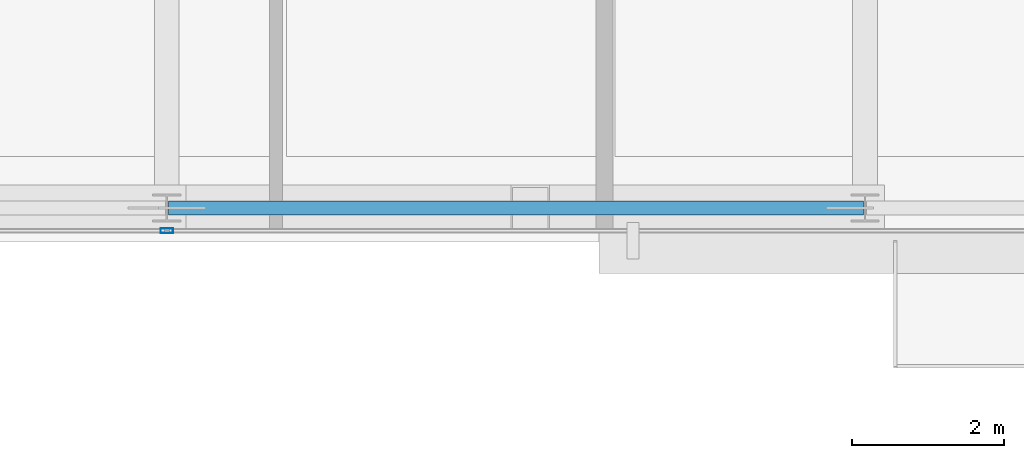
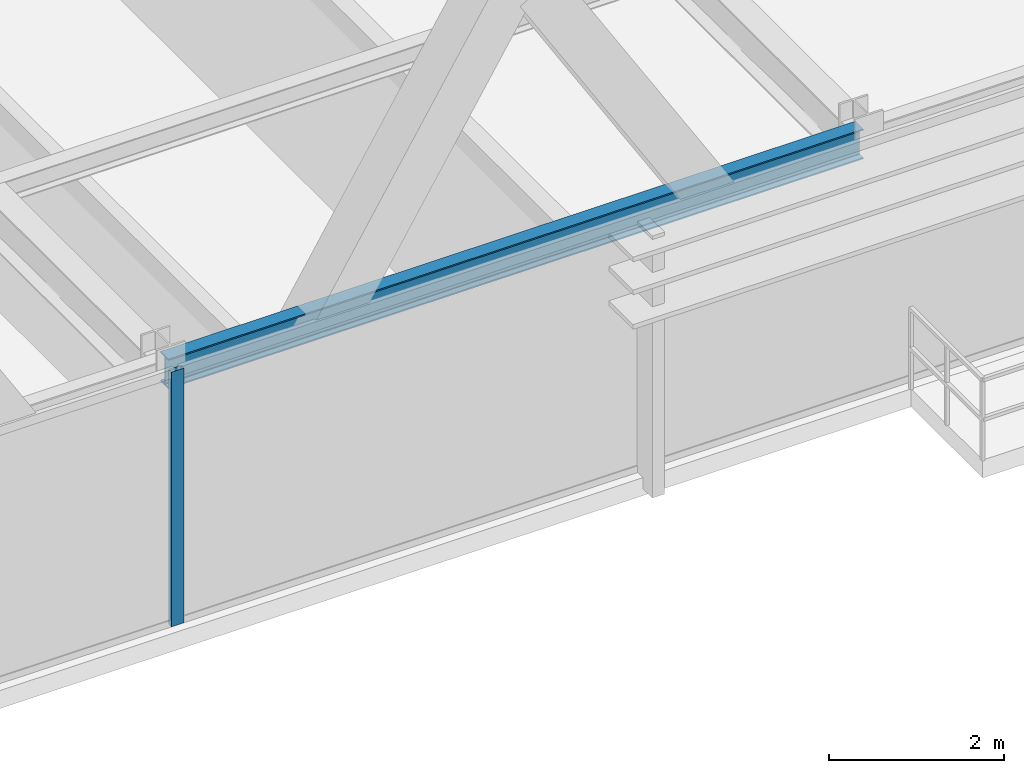
# One storey, part 8 of 34: 1 beam, 1 member, 1 element without a shape of its own.
"""IFC4 building model written with IfcOpenShell, lengths in metres."""

import ifcopenshell
import ifcopenshell.guid

model = None  # the IFC model being written
_history = None  # IfcOwnerHistory: only IFC2X3 demands one
_inside = {}  # id of a spatial element -> (the spatial element, [elements in it])
_under = {}  # id of a project, library or spatial element -> (it, [spatial elements below it])
_declared = {}  # id of a project -> (the project, [libraries it declares])
_typed = {}  # id of a type object -> (the type object, [elements of that type])
_made_of = {}  # id of a material, layer set ... -> (it, [elements and type objects made of it])


def new_model(schema):
    """Start an empty IFC model of exactly this schema.

    Asked for "IFC4X3", IfcOpenShell would pick the latest addendum, in which some entities
    have other attributes; the version numbers below select the first issue.
    IFC2X3 requires an IfcOwnerHistory on every rooted entity: one is made here for all.
    """
    global model, _history
    if schema == "IFC4X3":
        model = ifcopenshell.file(schema_version=(4, 3, 0, 0))
    else:
        model = ifcopenshell.file(schema=schema)
    _inside.clear()
    _under.clear()
    _declared.clear()
    _typed.clear()
    _made_of.clear()
    _history = None
    if model.schema == "IFC2X3":
        org = make("IfcOrganization", Name="unknown")
        user = make(
            "IfcPersonAndOrganization",
            ThePerson=make("IfcPerson", FamilyName="unknown"),
            TheOrganization=org,
        )
        app = make(
            "IfcApplication",
            ApplicationDeveloper=org,
            Version="unknown",
            ApplicationFullName="unknown",
            ApplicationIdentifier="unknown",
        )
        _history = make(
            "IfcOwnerHistory",
            OwningUser=user,
            OwningApplication=app,
            ChangeAction="ADDED",
            CreationDate=0,
        )
    return model


def make(cls, **values):
    """One entity of the class cls with the attributes given. An attribute that is None is left unset."""
    return model.create_entity(
        cls, **{name: value for name, value in values.items() if value is not None}
    )


def rooted(cls, **values):
    """An entity with a GlobalId (a new one), such as an element, a storey or a relation."""
    return make(cls, GlobalId=ifcopenshell.guid.new(), OwnerHistory=_history, **values)


def si_unit(unit_type, name, prefix=None):
    """IfcSIUnit, for example si_unit("LENGTHUNIT", "METRE", prefix="MILLI")."""
    return make("IfcSIUnit", UnitType=unit_type, Prefix=prefix, Name=name)


def assignment(units):
    """IfcUnitAssignment: the units of a project."""
    return None if units is None else make("IfcUnitAssignment", Units=units)


def point(xyz):
    """IfcCartesianPoint."""
    return None if xyz is None else make("IfcCartesianPoint", Coordinates=xyz)


def direction(xyz):
    """IfcDirection."""
    return None if xyz is None else make("IfcDirection", DirectionRatios=xyz)


def frame(location, z_axis=None, x_axis=None):
    """IfcAxis2Placement3D, a coordinate frame: its origin and axes. An axis left out is left unset."""
    return make(
        "IfcAxis2Placement3D",
        Location=point(location),
        Axis=direction(z_axis),
        RefDirection=direction(x_axis),
    )


def frame_2d(location, x_axis=None):
    """IfcAxis2Placement2D, a coordinate frame in the plane: its origin and x axis."""
    return make(
        "IfcAxis2Placement2D", Location=point(location), RefDirection=direction(x_axis)
    )


def origin():
    """The frame at (0, 0, 0) with its axes left unset."""
    return frame((0.0, 0.0, 0.0))


def origin_2d():
    """The frame at (0, 0) in the plane with its x axis left unset."""
    return frame_2d((0.0, 0.0))


def place(relative_to, where):
    """IfcLocalPlacement: puts the frame where relative to a parent placement (None: the world)."""
    return make(
        "IfcLocalPlacement", PlacementRelTo=relative_to, RelativePlacement=where
    )


def context(
    kind, dimensions, precision=None, world=None, true_north=None, identifier=None
):
    """IfcGeometricRepresentationContext, for example the 3D "Model" context."""
    return make(
        "IfcGeometricRepresentationContext",
        ContextIdentifier=identifier,
        ContextType=kind,
        CoordinateSpaceDimension=dimensions,
        Precision=precision,
        WorldCoordinateSystem=world,
        TrueNorth=true_north,
    )


def subcontext(parent, identifier, kind, view, scale=None):
    """IfcGeometricRepresentationSubContext, for example "Body" below "Model"."""
    return make(
        "IfcGeometricRepresentationSubContext",
        ContextIdentifier=identifier,
        ContextType=kind,
        ParentContext=parent,
        TargetScale=scale,
        TargetView=view,
    )


def project(units=None, contexts=None):
    """IfcProject with its units and contexts."""
    return rooted(
        "IfcProject",
        Name="project",
        RepresentationContexts=contexts,
        UnitsInContext=assignment(units),
    )


def spatial(cls, under=None, at=None, **own):
    """A site, building, storey or space (cls), placed at a placement, below another one or the project."""
    s = rooted(cls, ObjectPlacement=at, **own)
    if under is not None:
        _under.setdefault(under.id(), (under, []))[1].append(s)
    return s


def profile(cls, at=None, kind="AREA", **sizes):
    """A parametric profile (cls). Its sizes go by their IFC names, for example OverallWidth=200.0."""
    return make(cls, ProfileType=kind, Position=at, **sizes)


def hollow_rectangle(**sizes):
    """IfcRectangleHollowProfileDef."""
    return profile("IfcRectangleHollowProfileDef", **sizes)


def i_section(**sizes):
    """IfcIShapeProfileDef."""
    return profile("IfcIShapeProfileDef", **sizes)


def extrude(swept, where, along, depth):
    """IfcExtrudedAreaSolid: the profile swept, set in the frame where, extruded along a direction by depth."""
    return make(
        "IfcExtrudedAreaSolid",
        SweptArea=swept,
        Position=where,
        ExtrudedDirection=direction(along),
        Depth=depth,
    )


def shape(context_of_items, identifier, shape_type, items):
    """IfcShapeRepresentation: the items that make up one representation, for example the "Body"."""
    return make(
        "IfcShapeRepresentation",
        ContextOfItems=context_of_items,
        RepresentationIdentifier=identifier,
        RepresentationType=shape_type,
        Items=items,
    )


def source(mapping_origin, context_of_items, identifier, shape_type, items):
    """IfcRepresentationMap: a shape defined once, which mapped items show again and again."""
    return make(
        "IfcRepresentationMap",
        MappingOrigin=mapping_origin,
        MappedRepresentation=shape(context_of_items, identifier, shape_type, items),
    )


def transform(
    local_origin,
    x_axis=None,
    y_axis=None,
    z_axis=None,
    scale=None,
    scale2=None,
    scale3=None,
    uniform=True,
):
    """IfcCartesianTransformationOperator3D, or its non-uniform kind. x_axis, y_axis, z_axis: its Axis1, 2, 3."""
    if uniform:
        return make(
            "IfcCartesianTransformationOperator3D",
            Axis1=direction(x_axis),
            Axis2=direction(y_axis),
            LocalOrigin=point(local_origin),
            Scale=scale,
            Axis3=direction(z_axis),
        )
    return make(
        "IfcCartesianTransformationOperator3DnonUniform",
        Axis1=direction(x_axis),
        Axis2=direction(y_axis),
        LocalOrigin=point(local_origin),
        Scale=scale,
        Axis3=direction(z_axis),
        Scale2=scale2,
        Scale3=scale3,
    )


def mapped(mapping_source, mapping_target):
    """IfcMappedItem: shows the shape of a source again, moved by a transform."""
    return make(
        "IfcMappedItem", MappingSource=mapping_source, MappingTarget=mapping_target
    )


def material(Name=None, Category=None):
    """IfcMaterial."""
    return make("IfcMaterial", Name=Name, Category=Category)


def layer(
    of_material, thickness, ventilated=None, Name=None, Category=None, Priority=None
):
    """IfcMaterialLayer: one layer of a wall or slab, of a material (None: an air gap)."""
    return make(
        "IfcMaterialLayer",
        Material=of_material,
        LayerThickness=thickness,
        IsVentilated=ventilated,
        Name=Name,
        Category=Category,
        Priority=Priority,
    )


def layer_set(layers, Name=None):
    """IfcMaterialLayerSet."""
    return make("IfcMaterialLayerSet", MaterialLayers=layers, LayerSetName=Name)


def material_profile(
    of_material, cross_section, Name=None, Category=None, Priority=None
):
    """IfcMaterialProfile: a cross section and its material."""
    return make(
        "IfcMaterialProfile",
        Name=Name,
        Material=of_material,
        Profile=cross_section,
        Priority=Priority,
        Category=Category,
    )


def profile_set(profiles, Name=None, composite=None):
    """IfcMaterialProfileSet."""
    return make(
        "IfcMaterialProfileSet",
        Name=Name,
        MaterialProfiles=profiles,
        CompositeProfile=composite,
    )


def made_of(thing, what):
    """Note that an element or type object is made of a material, layer set ...; save() writes the relation."""
    if what is not None:
        _made_of.setdefault(what.id(), (what, []))[1].append(thing)
    return thing


def type_object(cls, material=None, **own):
    """A type object (cls), such as IfcWallType, which elements share."""
    return made_of(rooted(cls, **own), material)


def type_shapes(of_type, sources):
    """Give a type object the sources (RepresentationMaps) that its elements show as mapped items."""
    of_type.RepresentationMaps = sources


def element(
    cls,
    number,
    at=None,
    inside=None,
    cuts=None,
    type_object=None,
    material=None,
    context=None,
    identifier="Body",
    shape_type=None,
    held_by="IfcProductDefinitionShape",
    body=None,
    shapes=None,
    **own,
):
    """One element of the class cls, such as IfcWall. Its Tag is "e" and its number.

    at: its placement. inside: the storey or other place that contains it. cuts: it is an
    opening in that element (IfcRelVoidsElement). A single representation is given by context,
    identifier, shape_type and body (its items); several are given by shapes. held_by: the class
    of the entity that holds the representations. save() writes the other relations.
    """
    e = rooted(cls, Tag="e%d" % number, ObjectPlacement=at, **own)
    if body is not None:
        shapes = [shape(context, identifier, shape_type, body)]
    if shapes is not None:
        e.Representation = make(held_by, Representations=shapes)
    if inside is not None:
        _inside.setdefault(inside.id(), (inside, []))[1].append(e)
    if cuts is not None:
        rooted(
            "IfcRelVoidsElement", RelatingBuildingElement=cuts, RelatedOpeningElement=e
        )
    if type_object is not None:
        _typed.setdefault(type_object.id(), (type_object, []))[1].append(e)
    return made_of(e, material)


def aggregate(whole, parts):
    """IfcRelAggregates: a whole, such as a stair, and the parts it consists of."""
    return rooted("IfcRelAggregates", RelatingObject=whole, RelatedObjects=parts)


def save(model, path):
    """Write the relations noted so far, then the file.

    IfcRelAggregates (storeys below a building ...), IfcRelContainedInSpatialStructure (elements
    in a storey), IfcRelDefinesByType, IfcRelAssociatesMaterial and IfcRelDeclares: one each for
    every whole, place, type object, material and project.
    """
    for whole, parts in _under.values():
        aggregate(whole, parts)
    for where, things in _inside.values():
        rooted(
            "IfcRelContainedInSpatialStructure",
            RelatedElements=things,
            RelatingStructure=where,
        )
    for kind, things in _typed.values():
        rooted("IfcRelDefinesByType", RelatedObjects=things, RelatingType=kind)
    for what, things in _made_of.values():
        rooted("IfcRelAssociatesMaterial", RelatedObjects=things, RelatingMaterial=what)
    for by, libraries in _declared.values():
        rooted("IfcRelDeclares", RelatingContext=by, RelatedDefinitions=libraries)
    model.write(path)


model = new_model("IFC4")

# Units and contexts
model_context = context("Model", 3, precision=1e-05, world=origin(), true_north=direction((0.0, 1.0)))
body_context = subcontext(model_context, "Body", "Model", "MODEL_VIEW")
ifc_project = project(units=[si_unit("LENGTHUNIT", "METRE"), si_unit("AREAUNIT", "SQUARE_METRE"), si_unit("VOLUMEUNIT", "CUBIC_METRE"), si_unit("PLANEANGLEUNIT", "RADIAN"), si_unit("MASSUNIT", "GRAM", prefix="KILO")], contexts=[model_context])

# Site, building, storey
site_placement = place(None, origin())
site = spatial("IfcSite", under=ifc_project, at=site_placement, CompositionType="ELEMENT")
building_placement = place(site_placement, origin())
building = spatial("IfcBuilding", under=site, at=building_placement, Name="Varnel Quay Broadcast Tower", CompositionType="ELEMENT")
storey_placement = place(building_placement, frame((0.0, 0.0, 161.0)))
storey = spatial("IfcBuildingStorey", under=building, at=storey_placement, Name="L39", CompositionType="ELEMENT", Elevation=161.0)

# Beam
ifc_material_1 = material(Name="Structural Steel CSA G40.21 350W", Category="steel")
ifc_material_profile_1 = material_profile(ifc_material_1, i_section(OverallWidth=0.180908203125, OverallDepth=0.4169921875, WebThickness=0.010986328125, FlangeThickness=0.018310546875, FilletRadius=0.011962890625, at=origin_2d()), Name="W410X85")
ifc_profile_set_1 = profile_set([ifc_material_profile_1], Name="Structural Steel CSA G40.21 350W")
beam_type = type_object("IfcBeamType", Name="Beam_W410X85", PredefinedType="SPANDREL", material=ifc_profile_set_1)
shared_shape_1 = source(origin(), body_context, "Body", "SweptSolid", [
    extrude(i_section(OverallWidth=0.180908203125, OverallDepth=0.4169921875, WebThickness=0.010986328125, FlangeThickness=0.018310546875, FilletRadius=0.011962890625, at=origin_2d()), origin(), (0.0, 0.0, 1.0), 9.159912109375),
])
type_shapes(beam_type, [shared_shape_1])
beam_placement = place(storey_placement, frame((34.02001953125, 7.64990234375, 3.341552734375), z_axis=(1.0, 0.0, 0.0), x_axis=(0.0, 1.0, 0.0)))
element("IfcBeam", 1, at=beam_placement, inside=storey, type_object=beam_type, Name="L39 South Spandrel TC-S3-TC-S4", PredefinedType="SPANDREL", context=body_context, shape_type="MappedRepresentation", body=[
    mapped(shared_shape_1, transform((0.0, 0.0, 0.0), x_axis=(1.0, 0.0, 0.0), y_axis=(0.0, 1.0, 0.0), z_axis=(0.0, 0.0, 1.0), scale=1.0)),
])

# Curtain wall, member
ifc_material_2 = material(Name="Anodised Bronze Aluminium 6063-T6", Category="aluminium")
ifc_layer = layer(ifc_material_2, 0.18994140625, Name="Anodised Bronze Aluminium 6063-T6")
ifc_layer_set = layer_set([ifc_layer], Name="Anodised Bronze Aluminium 6063-T6")
curtain_wall_type = type_object("IfcCurtainWallType", Name="CW_UpperTower", PredefinedType="NOTDEFINED", material=ifc_layer_set)
curtain_wall_placement = place(storey_placement, origin())
curtain_wall = element("IfcCurtainWall", 2, at=curtain_wall_placement, inside=storey, type_object=curtain_wall_type, Name="L39 South Unitised Curtain Wall 2", PredefinedType="NOTDEFINED")
ifc_material_profile_2 = material_profile(ifc_material_2, hollow_rectangle(XDim=0.06494140625, YDim=0.1650390625, WallThickness=0.00341796875, at=origin_2d()), Name="ALU65X165X3.5")
ifc_profile_set_2 = profile_set([ifc_material_profile_2], Name="Anodised Bronze Aluminium 6063-T6")
member_type = type_object("IfcMemberType", Name="Mull_CWS-03", PredefinedType="MULLION", material=ifc_profile_set_2)
shared_shape_2 = source(origin(), body_context, "Body", "SweptSolid", [
    extrude(hollow_rectangle(XDim=0.06494140625, YDim=0.1650390625, WallThickness=0.00341796875, at=origin_2d()), origin(), (0.0, 0.0, 1.0), 3.550048828125),
])
type_shapes(member_type, [shared_shape_2])
member_placement = place(storey_placement, frame((34.0, 7.35009765625, 0.0), z_axis=(0.0, 0.0, 1.0), x_axis=(0.0, 1.0, 0.0)))
member = element("IfcMember", 3, at=member_placement, type_object=member_type, Name="CWS-03 mullion 2", PredefinedType="MULLION", context=body_context, shape_type="MappedRepresentation", body=[
    mapped(shared_shape_2, transform((0.0, 0.0, 0.0), x_axis=(1.0, 0.0, 0.0), y_axis=(0.0, 1.0, 0.0), z_axis=(0.0, 0.0, 1.0), scale=1.0)),
])
aggregate(curtain_wall, [member])

save(model, "model.ifc")
